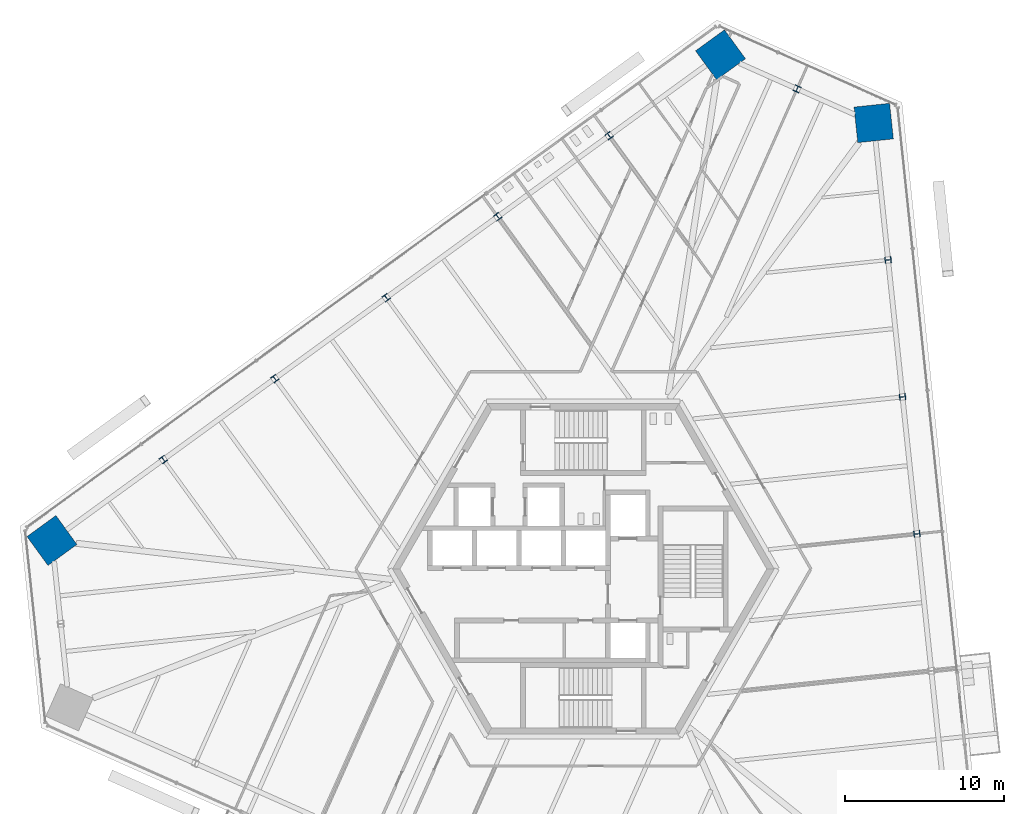
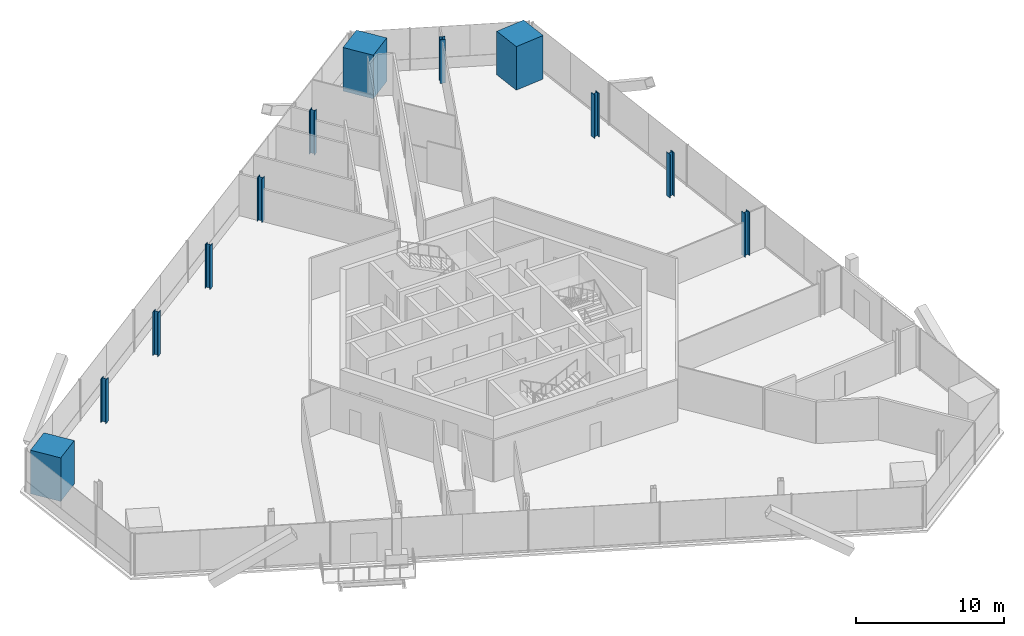
# One storey, part 2 of 17: 12 columns.
"""IFC4 building model written with IfcOpenShell, lengths in metres."""

import ifcopenshell
import ifcopenshell.guid

model = None  # the IFC model being written
_history = None  # IfcOwnerHistory: only IFC2X3 demands one
_inside = {}  # id of a spatial element -> (the spatial element, [elements in it])
_under = {}  # id of a project, library or spatial element -> (it, [spatial elements below it])
_declared = {}  # id of a project -> (the project, [libraries it declares])
_typed = {}  # id of a type object -> (the type object, [elements of that type])
_made_of = {}  # id of a material, layer set ... -> (it, [elements and type objects made of it])


def new_model(schema):
    """Start an empty IFC model of exactly this schema.

    Asked for "IFC4X3", IfcOpenShell would pick the latest addendum, in which some entities
    have other attributes; the version numbers below select the first issue.
    IFC2X3 requires an IfcOwnerHistory on every rooted entity: one is made here for all.
    """
    global model, _history
    if schema == "IFC4X3":
        model = ifcopenshell.file(schema_version=(4, 3, 0, 0))
    else:
        model = ifcopenshell.file(schema=schema)
    _inside.clear()
    _under.clear()
    _declared.clear()
    _typed.clear()
    _made_of.clear()
    _history = None
    if model.schema == "IFC2X3":
        org = make("IfcOrganization", Name="unknown")
        user = make(
            "IfcPersonAndOrganization",
            ThePerson=make("IfcPerson", FamilyName="unknown"),
            TheOrganization=org,
        )
        app = make(
            "IfcApplication",
            ApplicationDeveloper=org,
            Version="unknown",
            ApplicationFullName="unknown",
            ApplicationIdentifier="unknown",
        )
        _history = make(
            "IfcOwnerHistory",
            OwningUser=user,
            OwningApplication=app,
            ChangeAction="ADDED",
            CreationDate=0,
        )
    return model


def make(cls, **values):
    """One entity of the class cls with the attributes given. An attribute that is None is left unset."""
    return model.create_entity(
        cls, **{name: value for name, value in values.items() if value is not None}
    )


def rooted(cls, **values):
    """An entity with a GlobalId (a new one), such as an element, a storey or a relation."""
    return make(cls, GlobalId=ifcopenshell.guid.new(), OwnerHistory=_history, **values)


def si_unit(unit_type, name, prefix=None):
    """IfcSIUnit, for example si_unit("LENGTHUNIT", "METRE", prefix="MILLI")."""
    return make("IfcSIUnit", UnitType=unit_type, Prefix=prefix, Name=name)


def assignment(units):
    """IfcUnitAssignment: the units of a project."""
    return None if units is None else make("IfcUnitAssignment", Units=units)


def point(xyz):
    """IfcCartesianPoint."""
    return None if xyz is None else make("IfcCartesianPoint", Coordinates=xyz)


def direction(xyz):
    """IfcDirection."""
    return None if xyz is None else make("IfcDirection", DirectionRatios=xyz)


def frame(location, z_axis=None, x_axis=None):
    """IfcAxis2Placement3D, a coordinate frame: its origin and axes. An axis left out is left unset."""
    return make(
        "IfcAxis2Placement3D",
        Location=point(location),
        Axis=direction(z_axis),
        RefDirection=direction(x_axis),
    )


def frame_2d(location, x_axis=None):
    """IfcAxis2Placement2D, a coordinate frame in the plane: its origin and x axis."""
    return make(
        "IfcAxis2Placement2D", Location=point(location), RefDirection=direction(x_axis)
    )


def origin():
    """The frame at (0, 0, 0) with its axes left unset."""
    return frame((0.0, 0.0, 0.0))


def origin_2d():
    """The frame at (0, 0) in the plane with its x axis left unset."""
    return frame_2d((0.0, 0.0))


def place(relative_to, where):
    """IfcLocalPlacement: puts the frame where relative to a parent placement (None: the world)."""
    return make(
        "IfcLocalPlacement", PlacementRelTo=relative_to, RelativePlacement=where
    )


def context(
    kind, dimensions, precision=None, world=None, true_north=None, identifier=None
):
    """IfcGeometricRepresentationContext, for example the 3D "Model" context."""
    return make(
        "IfcGeometricRepresentationContext",
        ContextIdentifier=identifier,
        ContextType=kind,
        CoordinateSpaceDimension=dimensions,
        Precision=precision,
        WorldCoordinateSystem=world,
        TrueNorth=true_north,
    )


def subcontext(parent, identifier, kind, view, scale=None):
    """IfcGeometricRepresentationSubContext, for example "Body" below "Model"."""
    return make(
        "IfcGeometricRepresentationSubContext",
        ContextIdentifier=identifier,
        ContextType=kind,
        ParentContext=parent,
        TargetScale=scale,
        TargetView=view,
    )


def project(units=None, contexts=None):
    """IfcProject with its units and contexts."""
    return rooted(
        "IfcProject",
        Name="project",
        RepresentationContexts=contexts,
        UnitsInContext=assignment(units),
    )


def spatial(cls, under=None, at=None, **own):
    """A site, building, storey or space (cls), placed at a placement, below another one or the project."""
    s = rooted(cls, ObjectPlacement=at, **own)
    if under is not None:
        _under.setdefault(under.id(), (under, []))[1].append(s)
    return s


def profile(cls, at=None, kind="AREA", **sizes):
    """A parametric profile (cls). Its sizes go by their IFC names, for example OverallWidth=200.0."""
    return make(cls, ProfileType=kind, Position=at, **sizes)


def rectangle(**sizes):
    """IfcRectangleProfileDef."""
    return profile("IfcRectangleProfileDef", **sizes)


def i_section(**sizes):
    """IfcIShapeProfileDef."""
    return profile("IfcIShapeProfileDef", **sizes)


def extrude(swept, where, along, depth):
    """IfcExtrudedAreaSolid: the profile swept, set in the frame where, extruded along a direction by depth."""
    return make(
        "IfcExtrudedAreaSolid",
        SweptArea=swept,
        Position=where,
        ExtrudedDirection=direction(along),
        Depth=depth,
    )


def shape(context_of_items, identifier, shape_type, items):
    """IfcShapeRepresentation: the items that make up one representation, for example the "Body"."""
    return make(
        "IfcShapeRepresentation",
        ContextOfItems=context_of_items,
        RepresentationIdentifier=identifier,
        RepresentationType=shape_type,
        Items=items,
    )


def source(mapping_origin, context_of_items, identifier, shape_type, items):
    """IfcRepresentationMap: a shape defined once, which mapped items show again and again."""
    return make(
        "IfcRepresentationMap",
        MappingOrigin=mapping_origin,
        MappedRepresentation=shape(context_of_items, identifier, shape_type, items),
    )


def transform(
    local_origin,
    x_axis=None,
    y_axis=None,
    z_axis=None,
    scale=None,
    scale2=None,
    scale3=None,
    uniform=True,
):
    """IfcCartesianTransformationOperator3D, or its non-uniform kind. x_axis, y_axis, z_axis: its Axis1, 2, 3."""
    if uniform:
        return make(
            "IfcCartesianTransformationOperator3D",
            Axis1=direction(x_axis),
            Axis2=direction(y_axis),
            LocalOrigin=point(local_origin),
            Scale=scale,
            Axis3=direction(z_axis),
        )
    return make(
        "IfcCartesianTransformationOperator3DnonUniform",
        Axis1=direction(x_axis),
        Axis2=direction(y_axis),
        LocalOrigin=point(local_origin),
        Scale=scale,
        Axis3=direction(z_axis),
        Scale2=scale2,
        Scale3=scale3,
    )


def mapped(mapping_source, mapping_target):
    """IfcMappedItem: shows the shape of a source again, moved by a transform."""
    return make(
        "IfcMappedItem", MappingSource=mapping_source, MappingTarget=mapping_target
    )


def material(Name=None, Category=None):
    """IfcMaterial."""
    return make("IfcMaterial", Name=Name, Category=Category)


def material_profile(
    of_material, cross_section, Name=None, Category=None, Priority=None
):
    """IfcMaterialProfile: a cross section and its material."""
    return make(
        "IfcMaterialProfile",
        Name=Name,
        Material=of_material,
        Profile=cross_section,
        Priority=Priority,
        Category=Category,
    )


def profile_set(profiles, Name=None, composite=None):
    """IfcMaterialProfileSet."""
    return make(
        "IfcMaterialProfileSet",
        Name=Name,
        MaterialProfiles=profiles,
        CompositeProfile=composite,
    )


def made_of(thing, what):
    """Note that an element or type object is made of a material, layer set ...; save() writes the relation."""
    if what is not None:
        _made_of.setdefault(what.id(), (what, []))[1].append(thing)
    return thing


def type_object(cls, material=None, **own):
    """A type object (cls), such as IfcWallType, which elements share."""
    return made_of(rooted(cls, **own), material)


def element(
    cls,
    number,
    at=None,
    inside=None,
    cuts=None,
    type_object=None,
    material=None,
    context=None,
    identifier="Body",
    shape_type=None,
    held_by="IfcProductDefinitionShape",
    body=None,
    shapes=None,
    **own,
):
    """One element of the class cls, such as IfcWall. Its Tag is "e" and its number.

    at: its placement. inside: the storey or other place that contains it. cuts: it is an
    opening in that element (IfcRelVoidsElement). A single representation is given by context,
    identifier, shape_type and body (its items); several are given by shapes. held_by: the class
    of the entity that holds the representations. save() writes the other relations.
    """
    e = rooted(cls, Tag="e%d" % number, ObjectPlacement=at, **own)
    if body is not None:
        shapes = [shape(context, identifier, shape_type, body)]
    if shapes is not None:
        e.Representation = make(held_by, Representations=shapes)
    if inside is not None:
        _inside.setdefault(inside.id(), (inside, []))[1].append(e)
    if cuts is not None:
        rooted(
            "IfcRelVoidsElement", RelatingBuildingElement=cuts, RelatedOpeningElement=e
        )
    if type_object is not None:
        _typed.setdefault(type_object.id(), (type_object, []))[1].append(e)
    return made_of(e, material)


def aggregate(whole, parts):
    """IfcRelAggregates: a whole, such as a stair, and the parts it consists of."""
    return rooted("IfcRelAggregates", RelatingObject=whole, RelatedObjects=parts)


def save(model, path):
    """Write the relations noted so far, then the file.

    IfcRelAggregates (storeys below a building ...), IfcRelContainedInSpatialStructure (elements
    in a storey), IfcRelDefinesByType, IfcRelAssociatesMaterial and IfcRelDeclares: one each for
    every whole, place, type object, material and project.
    """
    for whole, parts in _under.values():
        aggregate(whole, parts)
    for where, things in _inside.values():
        rooted(
            "IfcRelContainedInSpatialStructure",
            RelatedElements=things,
            RelatingStructure=where,
        )
    for kind, things in _typed.values():
        rooted("IfcRelDefinesByType", RelatedObjects=things, RelatingType=kind)
    for what, things in _made_of.values():
        rooted("IfcRelAssociatesMaterial", RelatedObjects=things, RelatingMaterial=what)
    for by, libraries in _declared.values():
        rooted("IfcRelDeclares", RelatingContext=by, RelatedDefinitions=libraries)
    model.write(path)


model = new_model("IFC4")

# Units and contexts
model_context = context("Model", 3, precision=1e-05, world=origin(), true_north=direction((0.0, 1.0)))
body_context = subcontext(model_context, "Body", "Model", "MODEL_VIEW")
ifc_project = project(units=[si_unit("LENGTHUNIT", "METRE"), si_unit("AREAUNIT", "SQUARE_METRE"), si_unit("VOLUMEUNIT", "CUBIC_METRE"), si_unit("PLANEANGLEUNIT", "RADIAN"), si_unit("MASSUNIT", "GRAM", prefix="KILO")], contexts=[model_context])

# Site, building, storey
site_placement = place(None, origin())
site = spatial("IfcSite", under=ifc_project, at=site_placement, CompositionType="ELEMENT")
building_placement = place(site_placement, origin())
building = spatial("IfcBuilding", under=site, at=building_placement, Name="Triune Harvest Tower", CompositionType="ELEMENT")
storey_placement = place(building_placement, frame((0.0, 0.0, 62.10009765625)))
storey = spatial("IfcBuildingStorey", under=building, at=storey_placement, Name="L14", CompositionType="ELEMENT", Elevation=62.10009765625)

# Columns
ifc_material_1 = material(Name="Concrete 70 MPa", Category="concrete")
ifc_material_profile_1 = material_profile(ifc_material_1, rectangle(XDim=2.25, YDim=2.25, at=origin_2d()), Name="Composite 2250x2250")
ifc_profile_set_1 = profile_set([ifc_material_profile_1], Name="Concrete 70 MPa")
column_type_1 = type_object("IfcColumnType", Name="MC-2 Mega column Composite 2250x2250", PredefinedType="COLUMN", material=ifc_profile_set_1)
shared_shape_1 = source(origin(), body_context, "Body", "SweptSolid", [
    extrude(rectangle(XDim=2.25, YDim=2.25, at=origin_2d()), origin(), (0.0, 0.0, 1.0), 3.599853515625),
])
for number, where, z_axis, x_axis, name in (
    (1, (18.2607421875, 28.049072265625, 0.0), (0.0, 0.0, 1.0), (-0.104526727499, 0.994522077803, 0.0), "col/L14/M6"),
    (2, (8.625732421875, 32.3388671875, 0.0), (0.0, 0.0, 1.0), (-0.809016994375, -0.587785252292, 0.0), "col/L14/M8"),
    (3, (-33.42138671875, 1.789794921875, 0.0), (0.0, 0.0, 1.0), (-0.809016994375, -0.587785252292, 0.0), "col/L14/M14"),
):
    element("IfcColumn", number, at=place(storey_placement, frame(where, z_axis=z_axis, x_axis=x_axis)), inside=storey, type_object=column_type_1, Name=name, PredefinedType="COLUMN", context=body_context, shape_type="MappedRepresentation", body=[
        mapped(shared_shape_1, transform((0.0, 0.0, 0.0), scale=1.0)),
    ])
ifc_material_2 = material(Name="Steel ASTM A992 Gr 50", Category="steel")
ifc_material_profile_2 = material_profile(ifc_material_2, i_section(OverallWidth=0.398681640625, OverallDepth=0.393798828125, WebThickness=0.022705078125, FlangeThickness=0.03662109375, at=origin_2d()), Name="W14x193")
ifc_profile_set_2 = profile_set([ifc_material_profile_2], Name="Steel ASTM A992 Gr 50")
column_type_2 = type_object("IfcColumnType", Name="PC-2 Perimeter column W14x193", PredefinedType="COLUMN", material=ifc_profile_set_2)
shared_shape_2 = source(origin(), body_context, "Body", "SweptSolid", [
    extrude(i_section(OverallWidth=0.398681640625, OverallDepth=0.393798828125, WebThickness=0.022705078125, FlangeThickness=0.03662109375, at=origin_2d()), origin(), (0.0, 0.0, 1.0), 3.599853515625),
])
for number, where, z_axis, x_axis, name in (
    (4, (20.97705078125, 2.204833984375, 0.0), (0.0, 0.0, 1.0), (-0.104526727499, 0.994522077803, 0.0), "col/L14/P3"),
    (5, (20.071533203125, 10.819580078125, 0.0), (0.0, 0.0, 1.0), (-0.104526727499, 0.994522077803, 0.0), "col/L14/P4"),
    (6, (19.166015625, 19.434326171875, 0.0), (0.0, 0.0, 1.0), (-0.104526727499, 0.994522077803, 0.0), "col/L14/P5"),
    (7, (13.443115234375, 30.194091796875, 0.0), (0.0, 0.0, 1.0), (-0.913546877416, 0.406733454198, 0.0), "col/L14/P7"),
    (8, (1.617919921875, 27.247314453125, 0.0), (0.0, 0.0, 1.0), (-0.809016994375, -0.587785252292, 0.0), "col/L14/P9"),
    (9, (-5.389892578125, 22.15576171875, 0.0), (0.0, 0.0, 1.0), (-0.809016994375, -0.587785252292, 0.0), "col/L14/P10"),
    (10, (-12.39794921875, 17.064208984375, 0.0), (0.0, 0.0, 1.0), (-0.809016994375, -0.587785252292, 0.0), "col/L14/P11"),
    (11, (-19.40576171875, 11.97265625, 0.0), (0.0, 0.0, 1.0), (-0.809016994375, -0.587785252292, 0.0), "col/L14/P12"),
    (12, (-26.41357421875, 6.881103515625, 0.0), (0.0, 0.0, 1.0), (-0.809016994375, -0.587785252292, 0.0), "col/L14/P13"),
):
    element("IfcColumn", number, at=place(storey_placement, frame(where, z_axis=z_axis, x_axis=x_axis)), inside=storey, type_object=column_type_2, Name=name, PredefinedType="COLUMN", context=body_context, shape_type="MappedRepresentation", body=[
        mapped(shared_shape_2, transform((0.0, 0.0, 0.0), scale=1.0)),
    ])

save(model, "model.ifc")
